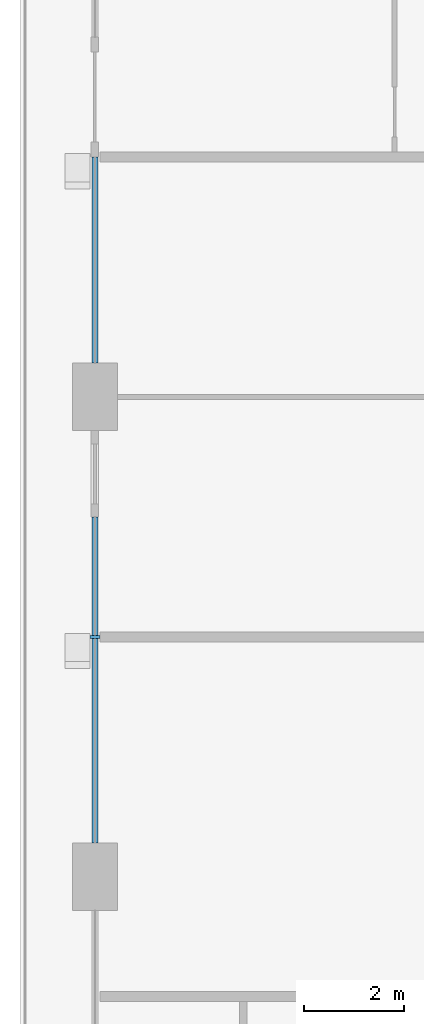
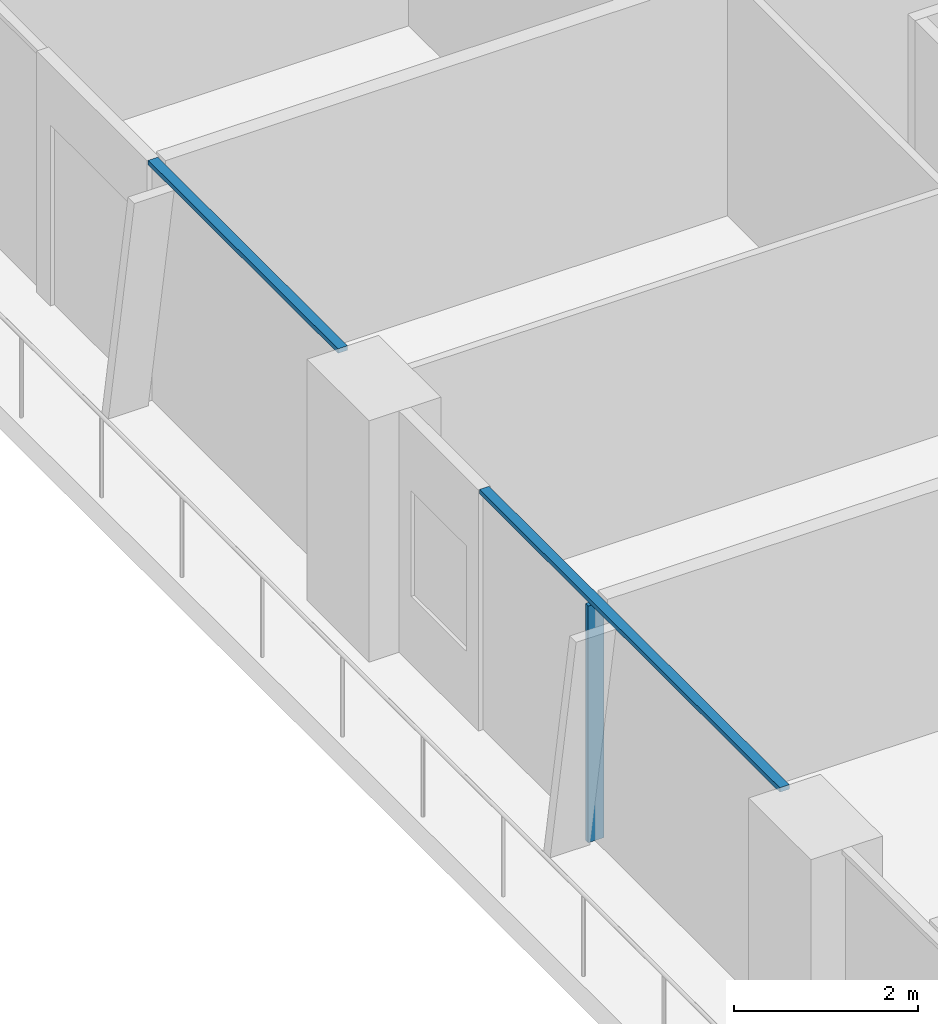
# One storey, part 3 of 21: 3 members, 2 elements without a shape of their own.
"""IFC4 building model written with IfcOpenShell, lengths in metres."""

from ifc_helpers import new_model, si_unit, direction, frame, origin, origin_2d, place, context, subcontext, project, spatial, rectangle, extrude, material, layer, layer_set, material_profile, profile_set, type_object, element, aggregate, save


model = new_model("IFC4")

# Units and contexts
model_context = context("Model", 3, precision=1e-05, world=origin(), true_north=direction((0.0, 1.0)))
body_context = subcontext(model_context, "Body", "Model", "MODEL_VIEW")
ifc_project = project(units=[si_unit("LENGTHUNIT", "METRE"), si_unit("AREAUNIT", "SQUARE_METRE"), si_unit("VOLUMEUNIT", "CUBIC_METRE"), si_unit("PLANEANGLEUNIT", "RADIAN"), si_unit("MASSUNIT", "GRAM", prefix="KILO")], contexts=[model_context])

# Site, building, storey
site_placement = place(None, origin())
site = spatial("IfcSite", under=ifc_project, at=site_placement, CompositionType="ELEMENT")
building_placement = place(site_placement, origin())
building = spatial("IfcBuilding", under=site, at=building_placement, Name="Madar Terraces", CompositionType="ELEMENT")
storey_placement = place(building_placement, frame((0.0, 0.0, 39.89990234375)))
storey = spatial("IfcBuildingStorey", under=building, at=storey_placement, Name="L09", CompositionType="ELEMENT", Elevation=39.89990234375)

# Curtain wall, member
ifc_material_1 = material(Name="Glass, ceramic frit dark grey, with black aluminium frame", Category="aluminium")
ifc_layer = layer(ifc_material_1, 0.199951171875)
ifc_layer_set = layer_set([ifc_layer], Name="Facade curtain wall, fritted glass")
curtain_wall_type = type_object("IfcCurtainWallType", Name="Facade curtain wall, fritted glass", PredefinedType="NOTDEFINED", material=ifc_layer_set)
curtain_wall_1_placement = place(storey_placement, origin())
curtain_wall_1 = element("IfcCurtainWall", 1, at=curtain_wall_1_placement, inside=storey, type_object=curtain_wall_type, Name="Outer skin curtain wall west bay 3", PredefinedType="NOTDEFINED")
ifc_material_2 = material(Name="Aluminium, black anodised", Category="aluminium")
ifc_material_profile_1 = material_profile(ifc_material_2, rectangle(XDim=0.199951171875, YDim=0.06005859375, at=origin_2d()), Name="Facade mullion 60x200")
ifc_profile_set_1 = profile_set([ifc_material_profile_1], Name="Aluminium, black anodised")
member_type_1 = type_object("IfcMemberType", Name="Facade mullion 60x200", PredefinedType="MULLION", material=ifc_profile_set_1)
member_1_placement = place(storey_placement, frame((0.0, 19.199951171875, 0.0), z_axis=(0.0, 0.0, 1.0), x_axis=(1.0, 0.0, 0.0)))
member_1 = element("IfcMember", 2, at=member_1_placement, type_object=member_type_1, Name="Mullion 1", PredefinedType="MULLION", context=body_context, shape_type="SweptSolid", body=[
    extrude(rectangle(XDim=0.199951171875, YDim=0.06005859375, at=origin_2d()), origin(), (0.0, 0.0, 1.0), 3.14013671875),
])

curtain_wall_2_placement = place(storey_placement, origin())
curtain_wall_2 = element("IfcCurtainWall", 3, at=curtain_wall_2_placement, inside=storey, type_object=curtain_wall_type, Name="Outer skin curtain wall west bay 2", PredefinedType="NOTDEFINED")
ifc_material_3 = material(Name="Aluminium, black anodised", Category="aluminium")
ifc_material_profile_2 = material_profile(ifc_material_3, rectangle(XDim=0.1201171875, YDim=0.06005859375, at=origin_2d()), Name="Facade transom 60x120")
ifc_profile_set_2 = profile_set([ifc_material_profile_2], Name="Aluminium, black anodised")
member_type_2 = type_object("IfcMemberType", Name="Facade transom 60x120", PredefinedType="USERDEFINED", material=ifc_profile_set_2)
member_2_placement = place(storey_placement, frame((0.0, 28.800048828125, 3.170166015625), z_axis=(0.0, -1.0, 0.0), x_axis=(1.0, 0.0, 0.0)))
member_2 = element("IfcMember", 4, at=member_2_placement, type_object=member_type_2, Name="Transom 2", ObjectType="TRANSOM", PredefinedType="USERDEFINED", context=body_context, shape_type="SweptSolid", body=[
    extrude(rectangle(XDim=0.1201171875, YDim=0.06005859375, at=origin_2d()), origin(), (0.0, 0.0, 1.0), 4.125),
])
aggregate(curtain_wall_2, [member_2])

# Member
member_3_placement = place(storey_placement, frame((0.0, 21.60009765625, 3.170166015625), z_axis=(0.0, -1.0, 0.0), x_axis=(1.0, 0.0, 0.0)))
member_3 = element("IfcMember", 5, at=member_3_placement, type_object=member_type_2, Name="Transom 1", ObjectType="TRANSOM", PredefinedType="USERDEFINED", context=body_context, shape_type="SweptSolid", body=[
    extrude(rectangle(XDim=0.1201171875, YDim=0.06005859375, at=origin_2d()), origin(), (0.0, 0.0, 1.0), 6.525146484375),
])

aggregate(curtain_wall_1, [member_1, member_3])

save(model, "model.ifc")
